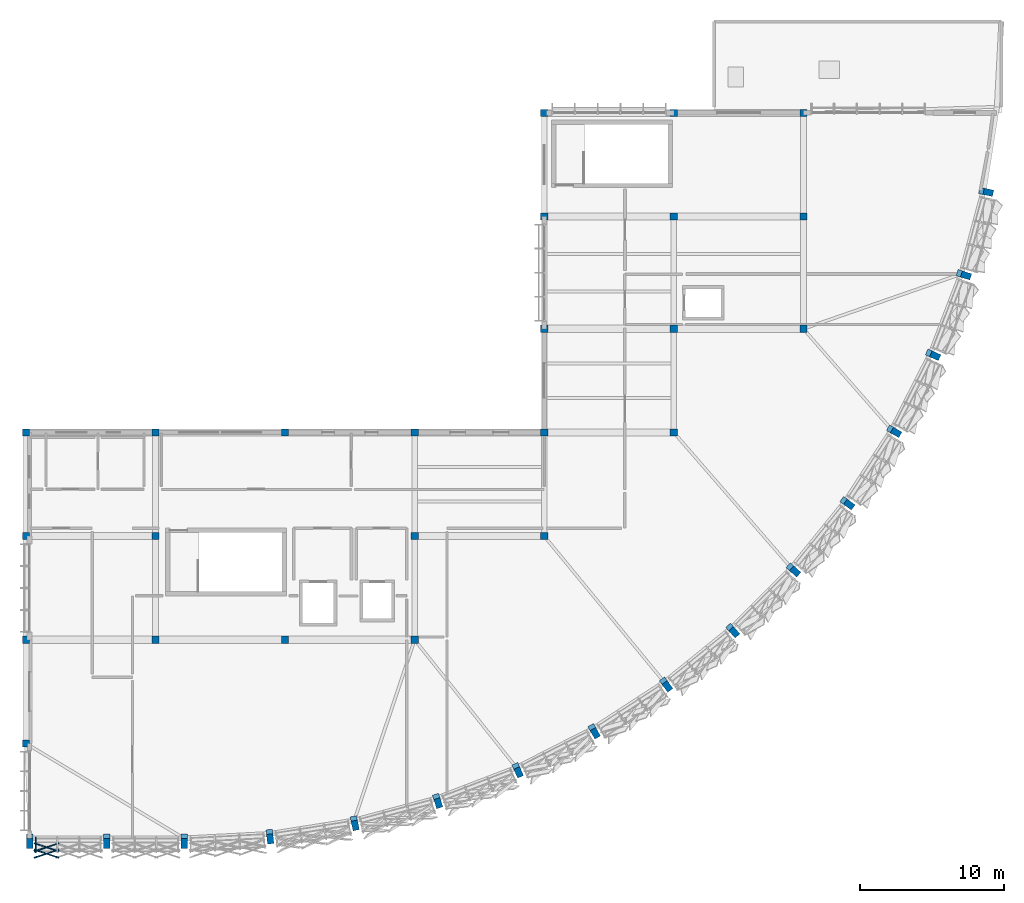
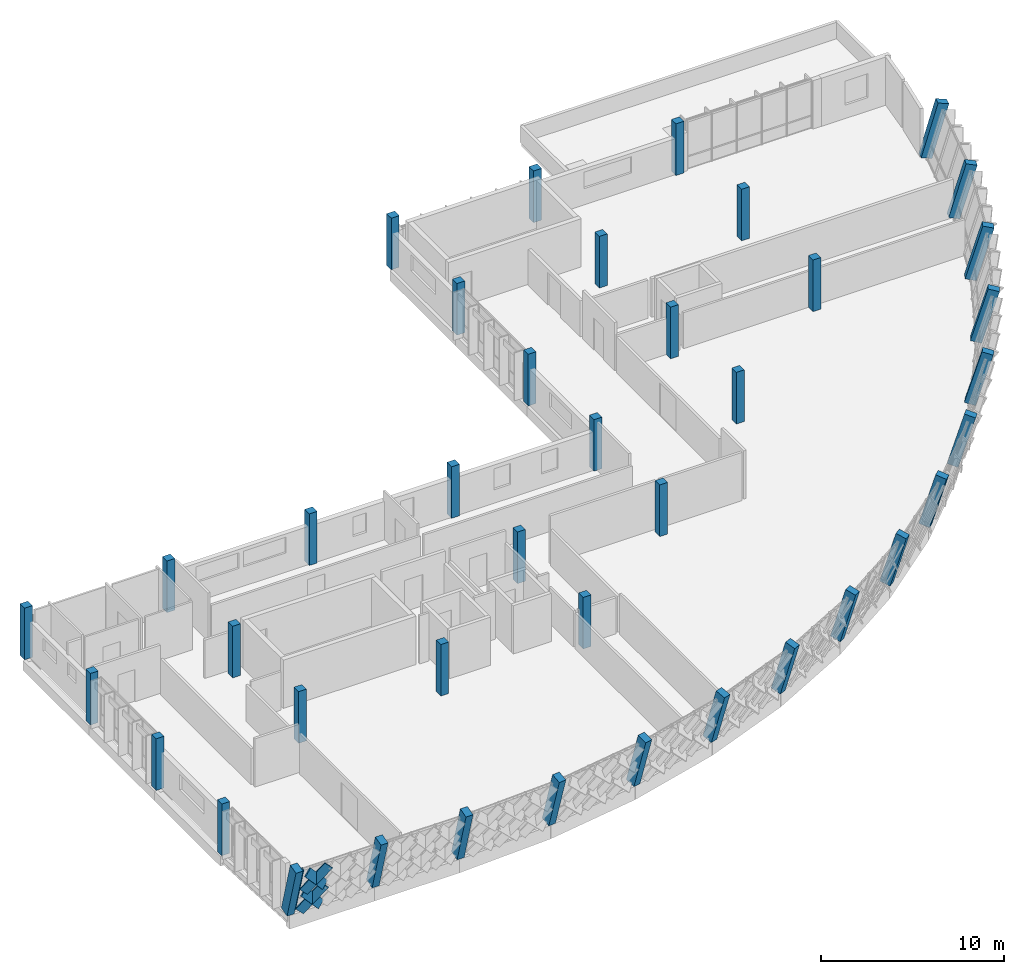
# One storey, part 1 of 24: 40 columns, 5 members, 1 element without a shape of its own.
"""IFC4 building model written with IfcOpenShell, lengths in metres."""

import ifcopenshell
import ifcopenshell.guid

model = None  # the IFC model being written
_history = None  # IfcOwnerHistory: only IFC2X3 demands one
_inside = {}  # id of a spatial element -> (the spatial element, [elements in it])
_under = {}  # id of a project, library or spatial element -> (it, [spatial elements below it])
_declared = {}  # id of a project -> (the project, [libraries it declares])
_typed = {}  # id of a type object -> (the type object, [elements of that type])
_made_of = {}  # id of a material, layer set ... -> (it, [elements and type objects made of it])


def new_model(schema):
    """Start an empty IFC model of exactly this schema.

    Asked for "IFC4X3", IfcOpenShell would pick the latest addendum, in which some entities
    have other attributes; the version numbers below select the first issue.
    IFC2X3 requires an IfcOwnerHistory on every rooted entity: one is made here for all.
    """
    global model, _history
    if schema == "IFC4X3":
        model = ifcopenshell.file(schema_version=(4, 3, 0, 0))
    else:
        model = ifcopenshell.file(schema=schema)
    _inside.clear()
    _under.clear()
    _declared.clear()
    _typed.clear()
    _made_of.clear()
    _history = None
    if model.schema == "IFC2X3":
        org = make("IfcOrganization", Name="unknown")
        user = make(
            "IfcPersonAndOrganization",
            ThePerson=make("IfcPerson", FamilyName="unknown"),
            TheOrganization=org,
        )
        app = make(
            "IfcApplication",
            ApplicationDeveloper=org,
            Version="unknown",
            ApplicationFullName="unknown",
            ApplicationIdentifier="unknown",
        )
        _history = make(
            "IfcOwnerHistory",
            OwningUser=user,
            OwningApplication=app,
            ChangeAction="ADDED",
            CreationDate=0,
        )
    return model


def make(cls, **values):
    """One entity of the class cls with the attributes given. An attribute that is None is left unset."""
    return model.create_entity(
        cls, **{name: value for name, value in values.items() if value is not None}
    )


def rooted(cls, **values):
    """An entity with a GlobalId (a new one), such as an element, a storey or a relation."""
    return make(cls, GlobalId=ifcopenshell.guid.new(), OwnerHistory=_history, **values)


def si_unit(unit_type, name, prefix=None):
    """IfcSIUnit, for example si_unit("LENGTHUNIT", "METRE", prefix="MILLI")."""
    return make("IfcSIUnit", UnitType=unit_type, Prefix=prefix, Name=name)


def assignment(units):
    """IfcUnitAssignment: the units of a project."""
    return None if units is None else make("IfcUnitAssignment", Units=units)


def point(xyz):
    """IfcCartesianPoint."""
    return None if xyz is None else make("IfcCartesianPoint", Coordinates=xyz)


def direction(xyz):
    """IfcDirection."""
    return None if xyz is None else make("IfcDirection", DirectionRatios=xyz)


def frame(location, z_axis=None, x_axis=None):
    """IfcAxis2Placement3D, a coordinate frame: its origin and axes. An axis left out is left unset."""
    return make(
        "IfcAxis2Placement3D",
        Location=point(location),
        Axis=direction(z_axis),
        RefDirection=direction(x_axis),
    )


def frame_2d(location, x_axis=None):
    """IfcAxis2Placement2D, a coordinate frame in the plane: its origin and x axis."""
    return make(
        "IfcAxis2Placement2D", Location=point(location), RefDirection=direction(x_axis)
    )


def origin():
    """The frame at (0, 0, 0) with its axes left unset."""
    return frame((0.0, 0.0, 0.0))


def origin_2d():
    """The frame at (0, 0) in the plane with its x axis left unset."""
    return frame_2d((0.0, 0.0))


def place(relative_to, where):
    """IfcLocalPlacement: puts the frame where relative to a parent placement (None: the world)."""
    return make(
        "IfcLocalPlacement", PlacementRelTo=relative_to, RelativePlacement=where
    )


def context(
    kind, dimensions, precision=None, world=None, true_north=None, identifier=None
):
    """IfcGeometricRepresentationContext, for example the 3D "Model" context."""
    return make(
        "IfcGeometricRepresentationContext",
        ContextIdentifier=identifier,
        ContextType=kind,
        CoordinateSpaceDimension=dimensions,
        Precision=precision,
        WorldCoordinateSystem=world,
        TrueNorth=true_north,
    )


def subcontext(parent, identifier, kind, view, scale=None):
    """IfcGeometricRepresentationSubContext, for example "Body" below "Model"."""
    return make(
        "IfcGeometricRepresentationSubContext",
        ContextIdentifier=identifier,
        ContextType=kind,
        ParentContext=parent,
        TargetScale=scale,
        TargetView=view,
    )


def project(units=None, contexts=None):
    """IfcProject with its units and contexts."""
    return rooted(
        "IfcProject",
        Name="project",
        RepresentationContexts=contexts,
        UnitsInContext=assignment(units),
    )


def spatial(cls, under=None, at=None, **own):
    """A site, building, storey or space (cls), placed at a placement, below another one or the project."""
    s = rooted(cls, ObjectPlacement=at, **own)
    if under is not None:
        _under.setdefault(under.id(), (under, []))[1].append(s)
    return s


def profile(cls, at=None, kind="AREA", **sizes):
    """A parametric profile (cls). Its sizes go by their IFC names, for example OverallWidth=200.0."""
    return make(cls, ProfileType=kind, Position=at, **sizes)


def rectangle(**sizes):
    """IfcRectangleProfileDef."""
    return profile("IfcRectangleProfileDef", **sizes)


def hollow_rectangle(**sizes):
    """IfcRectangleHollowProfileDef."""
    return profile("IfcRectangleHollowProfileDef", **sizes)


def extrude(swept, where, along, depth):
    """IfcExtrudedAreaSolid: the profile swept, set in the frame where, extruded along a direction by depth."""
    return make(
        "IfcExtrudedAreaSolid",
        SweptArea=swept,
        Position=where,
        ExtrudedDirection=direction(along),
        Depth=depth,
    )


def shape(context_of_items, identifier, shape_type, items):
    """IfcShapeRepresentation: the items that make up one representation, for example the "Body"."""
    return make(
        "IfcShapeRepresentation",
        ContextOfItems=context_of_items,
        RepresentationIdentifier=identifier,
        RepresentationType=shape_type,
        Items=items,
    )


def material(Name=None, Category=None):
    """IfcMaterial."""
    return make("IfcMaterial", Name=Name, Category=Category)


def material_profile(
    of_material, cross_section, Name=None, Category=None, Priority=None
):
    """IfcMaterialProfile: a cross section and its material."""
    return make(
        "IfcMaterialProfile",
        Name=Name,
        Material=of_material,
        Profile=cross_section,
        Priority=Priority,
        Category=Category,
    )


def profile_set(profiles, Name=None, composite=None):
    """IfcMaterialProfileSet."""
    return make(
        "IfcMaterialProfileSet",
        Name=Name,
        MaterialProfiles=profiles,
        CompositeProfile=composite,
    )


def made_of(thing, what):
    """Note that an element or type object is made of a material, layer set ...; save() writes the relation."""
    if what is not None:
        _made_of.setdefault(what.id(), (what, []))[1].append(thing)
    return thing


def type_object(cls, material=None, **own):
    """A type object (cls), such as IfcWallType, which elements share."""
    return made_of(rooted(cls, **own), material)


def element(
    cls,
    number,
    at=None,
    inside=None,
    cuts=None,
    type_object=None,
    material=None,
    context=None,
    identifier="Body",
    shape_type=None,
    held_by="IfcProductDefinitionShape",
    body=None,
    shapes=None,
    **own,
):
    """One element of the class cls, such as IfcWall. Its Tag is "e" and its number.

    at: its placement. inside: the storey or other place that contains it. cuts: it is an
    opening in that element (IfcRelVoidsElement). A single representation is given by context,
    identifier, shape_type and body (its items); several are given by shapes. held_by: the class
    of the entity that holds the representations. save() writes the other relations.
    """
    e = rooted(cls, Tag="e%d" % number, ObjectPlacement=at, **own)
    if body is not None:
        shapes = [shape(context, identifier, shape_type, body)]
    if shapes is not None:
        e.Representation = make(held_by, Representations=shapes)
    if inside is not None:
        _inside.setdefault(inside.id(), (inside, []))[1].append(e)
    if cuts is not None:
        rooted(
            "IfcRelVoidsElement", RelatingBuildingElement=cuts, RelatedOpeningElement=e
        )
    if type_object is not None:
        _typed.setdefault(type_object.id(), (type_object, []))[1].append(e)
    return made_of(e, material)


def aggregate(whole, parts):
    """IfcRelAggregates: a whole, such as a stair, and the parts it consists of."""
    return rooted("IfcRelAggregates", RelatingObject=whole, RelatedObjects=parts)


def save(model, path):
    """Write the relations noted so far, then the file.

    IfcRelAggregates (storeys below a building ...), IfcRelContainedInSpatialStructure (elements
    in a storey), IfcRelDefinesByType, IfcRelAssociatesMaterial and IfcRelDeclares: one each for
    every whole, place, type object, material and project.
    """
    for whole, parts in _under.values():
        aggregate(whole, parts)
    for where, things in _inside.values():
        rooted(
            "IfcRelContainedInSpatialStructure",
            RelatedElements=things,
            RelatingStructure=where,
        )
    for kind, things in _typed.values():
        rooted("IfcRelDefinesByType", RelatedObjects=things, RelatingType=kind)
    for what, things in _made_of.values():
        rooted("IfcRelAssociatesMaterial", RelatedObjects=things, RelatingMaterial=what)
    for by, libraries in _declared.values():
        rooted("IfcRelDeclares", RelatingContext=by, RelatedDefinitions=libraries)
    model.write(path)


model = new_model("IFC4")

# Units and contexts
model_context = context("Model", 3, precision=1e-05, world=origin(), true_north=direction((0.0, 1.0)))
body_context = subcontext(model_context, "Body", "Model", "MODEL_VIEW")
ifc_project = project(units=[si_unit("LENGTHUNIT", "METRE"), si_unit("AREAUNIT", "SQUARE_METRE"), si_unit("VOLUMEUNIT", "CUBIC_METRE"), si_unit("PLANEANGLEUNIT", "RADIAN"), si_unit("MASSUNIT", "GRAM", prefix="KILO")], contexts=[model_context])

# Site, building, storey
site_placement = place(None, origin())
site = spatial("IfcSite", under=ifc_project, at=site_placement, CompositionType="ELEMENT")
building_placement = place(site_placement, origin())
building = spatial("IfcBuilding", under=site, at=building_placement, Name="Chiffa Square Polytechnic", CompositionType="ELEMENT")
storey_placement = place(building_placement, frame((0.0, 0.0, 26.39990234375)))
storey = spatial("IfcBuildingStorey", under=building, at=storey_placement, Name="L06", CompositionType="ELEMENT", Elevation=26.39990234375)

# Columns
ifc_material_1 = material(Name="Glulam GL32c", Category="wood")
ifc_material_profile_1 = material_profile(ifc_material_1, rectangle(XDim=0.449951171875, YDim=0.64990234375, at=origin_2d()), Name="GL32c 450x650")
ifc_profile_set_1 = profile_set([ifc_material_profile_1], Name="Glulam GL32c")
column_type_1 = type_object("IfcColumnType", Name="COL-RAKED-GL650", PredefinedType="USERDEFINED", material=ifc_profile_set_1)
for number, where, z_axis, x_axis, name in (
    (1, (112.449951171875, 0.595947265625, 0.0), (0.0, -0.272157128356, 0.962252824098), (1.0, 0.0, 0.0), "Outward-leaning glulam column CRK-V1-L06-01"),
    (2, (117.824951171875, 0.595947265625, 0.0), (0.0, -0.272157128356, 0.962252824098), (1.0, 0.0, 0.0), "Outward-leaning glulam column CRK-V1-L06-02"),
    (3, (123.199951171875, 0.595947265625, 0.0), (0.0, -0.272157128356, 0.962252824098), (1.0, 0.0, 0.0), "Outward-leaning glulam column CRK-V1-L06-03"),
):
    element("IfcColumn", number, at=place(storey_placement, frame(where, z_axis=z_axis, x_axis=x_axis)), inside=storey, type_object=column_type_1, Name=name, ObjectType="RAKED COLUMN", PredefinedType="USERDEFINED", context=body_context, shape_type="SweptSolid", body=[
        extrude(rectangle(XDim=0.449951171875, YDim=0.64990234375, at=origin_2d()), origin(), (0.0, 0.0, 1.0), 3.58544921875),
    ])
column_1_placement = place(storey_placement, frame((129.132080078125, 0.906982421875, 0.0), z_axis=(0.028392727524, -0.270786276654, 0.962220684354), x_axis=(0.994547849522, 0.104281230387, 0.0)))
element("IfcColumn", 4, at=column_1_placement, inside=storey, type_object=column_type_1, Name="Outward-leaning glulam column CRK-V1-L06-04", ObjectType="RAKED COLUMN", PredefinedType="USERDEFINED", context=body_context, shape_type="SweptSolid", body=[
    extrude(rectangle(XDim=0.449951171875, YDim=0.64990234375, at=origin_2d()), origin(), (0.0, 0.0, 1.0), 3.585693359375),
])
column_2_placement = place(storey_placement, frame((135.0, 1.8359375, 0.0), z_axis=(0.056310217943, -0.266298987151, 0.962244256308), x_axis=(0.97836625909, 0.206880310986, 0.0)))
element("IfcColumn", 5, at=column_2_placement, inside=storey, type_object=column_type_1, Name="Outward-leaning glulam column CRK-V1-L06-05", ObjectType="RAKED COLUMN", PredefinedType="USERDEFINED", context=body_context, shape_type="SweptSolid", body=[
    extrude(rectangle(XDim=0.449951171875, YDim=0.64990234375, at=origin_2d()), origin(), (0.0, 0.0, 1.0), 3.58544921875),
])
for number, where, z_axis, x_axis, name in (
    (6, (140.738037109375, 3.3740234375, 0.0), (0.08422147927, -0.259064453213, 0.962181038844), (0.951006514064, 0.309170843074, 0.0), "Outward-leaning glulam column CRK-V1-L06-06"),
    (7, (146.283935546875, 5.5029296875, 0.0), (0.110711758314, -0.248726969939, 0.962225441877), (0.913584518826, 0.406648898881, 0.0), "Outward-leaning glulam column CRK-V1-L06-07"),
):
    element("IfcColumn", number, at=place(storey_placement, frame(where, z_axis=z_axis, x_axis=x_axis)), inside=storey, type_object=column_type_1, Name=name, ObjectType="RAKED COLUMN", PredefinedType="USERDEFINED", context=body_context, shape_type="SweptSolid", body=[
        extrude(rectangle(XDim=0.449951171875, YDim=0.64990234375, at=origin_2d()), origin(), (0.0, 0.0, 1.0), 3.585693359375),
    ])
column_3_placement = place(storey_placement, frame((151.576904296875, 8.199951171875, 0.0), z_axis=(0.136113078547, -0.235661513182, 0.962256141084), x_axis=(0.865939725069, 0.500148370533, 0.0)))
element("IfcColumn", 8, at=column_3_placement, inside=storey, type_object=column_type_1, Name="Outward-leaning glulam column CRK-V1-L06-08", ObjectType="RAKED COLUMN", PredefinedType="USERDEFINED", context=body_context, shape_type="SweptSolid", body=[
    extrude(rectangle(XDim=0.449951171875, YDim=0.64990234375, at=origin_2d()), origin(), (0.0, 0.0, 1.0), 3.58544921875),
])
for number, where, z_axis, x_axis, name in (
    (9, (156.55908203125, 11.43505859375, 0.0), (0.160071919667, -0.220328682281, 0.962201773174), (0.809027886661, 0.587770260055, 0.0), "Outward-leaning glulam column CRK-V1-L06-09"),
    (10, (161.176025390625, 15.174072265625, 0.0), (0.182131429874, -0.202489298111, 0.962198641863), (0.743493006552, 0.668743709659, 0.0), "Outward-leaning glulam column CRK-V1-L06-10"),
    (11, (165.3759765625, 19.3740234375, 0.0), (0.202489298111, -0.182131429874, 0.962198641863), (0.668743709659, 0.743493006552, 0.0), "Outward-leaning glulam column CRK-V1-L06-11"),
    (12, (169.114990234375, 23.990966796875, 0.0), (0.220328682281, -0.160071919667, 0.962201773174), (0.587770260055, 0.809027886661, 0.0), "Outward-leaning glulam column CRK-V1-L06-12"),
):
    element("IfcColumn", number, at=place(storey_placement, frame(where, z_axis=z_axis, x_axis=x_axis)), inside=storey, type_object=column_type_1, Name=name, ObjectType="RAKED COLUMN", PredefinedType="USERDEFINED", context=body_context, shape_type="SweptSolid", body=[
        extrude(rectangle(XDim=0.449951171875, YDim=0.64990234375, at=origin_2d()), origin(), (0.0, 0.0, 1.0), 3.585693359375),
    ])
column_4_placement = place(storey_placement, frame((172.35009765625, 28.972900390625, 0.0), z_axis=(0.235663696782, -0.136046248532, 0.962265057185), x_axis=(0.49996072298, 0.866048079195, 0.0)))
element("IfcColumn", 13, at=column_4_placement, inside=storey, type_object=column_type_1, Name="Outward-leaning glulam column CRK-V1-L06-13", ObjectType="RAKED COLUMN", PredefinedType="USERDEFINED", context=body_context, shape_type="SweptSolid", body=[
    extrude(rectangle(XDim=0.449951171875, YDim=0.64990234375, at=origin_2d()), origin(), (0.0, 0.0, 1.0), 3.58544921875),
])
for number, where, z_axis, x_axis, name in (
    (14, (175.047119140625, 34.26611328125, 0.0), (0.248725094433, -0.1107790114, 0.962218186293), (0.406857602636, 0.913491593381, 0.0), "Outward-leaning glulam column CRK-V1-L06-14"),
    (15, (177.176025390625, 39.81201171875, 0.0), (0.259064453213, -0.08422147927, 0.962181038844), (0.309170843074, 0.951006514064, 0.0), "Outward-leaning glulam column CRK-V1-L06-15"),
    (16, (178.714111328125, 45.550048828125, 0.0), (0.26629796551, -0.056378091394, 0.962240564711), (0.207119743353, 0.978315599341, 0.0), "Outward-leaning glulam column CRK-V1-L06-16"),
):
    element("IfcColumn", number, at=place(storey_placement, frame(where, z_axis=z_axis, x_axis=x_axis)), inside=storey, type_object=column_type_1, Name=name, ObjectType="RAKED COLUMN", PredefinedType="USERDEFINED", context=body_context, shape_type="SweptSolid", body=[
        extrude(rectangle(XDim=0.449951171875, YDim=0.64990234375, at=origin_2d()), origin(), (0.0, 0.0, 1.0), 3.585693359375),
    ])
ifc_material_2 = material(Name="Concrete C35/45", Category="concrete")
ifc_material_profile_2 = material_profile(ifc_material_2, rectangle(XDim=0.5, YDim=0.5, at=origin_2d()), Name="RC 500x500")
ifc_profile_set_2 = profile_set([ifc_material_profile_2], Name="Concrete C35/45")
column_type_2 = type_object("IfcColumnType", Name="COL-RC-500", PredefinedType="COLUMN", material=ifc_profile_set_2)
for number, where, z_axis, x_axis, name in (
    (17, (112.199951171875, 7.199951171875, 0.0), (0.0, 0.0, 1.0), (1.0, 0.0, 0.0), "Column C-V1-L06-1122-0072"),
    (18, (112.199951171875, 14.39990234375, 0.0), (0.0, 0.0, 1.0), (1.0, 0.0, 0.0), "Column C-V1-L06-1122-0144"),
    (19, (112.199951171875, 21.60009765625, 0.0), (0.0, 0.0, 1.0), (1.0, 0.0, 0.0), "Column C-V1-L06-1122-0216"),
    (20, (112.199951171875, 28.800048828125, 0.0), (0.0, 0.0, 1.0), (1.0, 0.0, 0.0), "Column C-V1-L06-1122-0288"),
    (21, (121.199951171875, 14.39990234375, 0.0), (0.0, 0.0, 1.0), (1.0, 0.0, 0.0), "Column C-V1-L06-1212-0144"),
    (22, (121.199951171875, 21.60009765625, 0.0), (0.0, 0.0, 1.0), (1.0, 0.0, 0.0), "Column C-V1-L06-1212-0216"),
    (23, (121.199951171875, 28.800048828125, 0.0), (0.0, 0.0, 1.0), (1.0, 0.0, 0.0), "Column C-V1-L06-1212-0288"),
    (24, (130.199951171875, 14.39990234375, 0.0), (0.0, 0.0, 1.0), (1.0, 0.0, 0.0), "Column C-V1-L06-1302-0144"),
    (25, (130.199951171875, 28.800048828125, 0.0), (0.0, 0.0, 1.0), (1.0, 0.0, 0.0), "Column C-V1-L06-1302-0288"),
    (26, (139.199951171875, 14.39990234375, 0.0), (0.0, 0.0, 1.0), (1.0, 0.0, 0.0), "Column C-V1-L06-1392-0144"),
    (27, (139.199951171875, 21.60009765625, 0.0), (0.0, 0.0, 1.0), (1.0, 0.0, 0.0), "Column C-V1-L06-1392-0216"),
    (28, (139.199951171875, 28.800048828125, 0.0), (0.0, 0.0, 1.0), (1.0, 0.0, 0.0), "Column C-V1-L06-1392-0288"),
    (29, (148.199951171875, 21.60009765625, 0.0), (0.0, 0.0, 1.0), (1.0, 0.0, 0.0), "Column C-V1-L06-1482-0216"),
    (30, (148.199951171875, 28.800048828125, 0.0), (0.0, 0.0, 1.0), (1.0, 0.0, 0.0), "Column C-V1-L06-1482-0288"),
    (31, (148.199951171875, 36.0, 0.0), (0.0, 0.0, 1.0), (1.0, 0.0, 0.0), "Column C-V1-L06-1482-0360"),
    (32, (148.199951171875, 43.800048828125, 0.0), (0.0, 0.0, 1.0), (1.0, 0.0, 0.0), "Column C-V1-L06-1482-0438"),
    (33, (148.199951171875, 51.0, 0.0), (0.0, 0.0, 1.0), (1.0, 0.0, 0.0), "Column C-V1-L06-1482-0510"),
    (34, (157.199951171875, 28.800048828125, 0.0), (0.0, 0.0, 1.0), (1.0, 0.0, 0.0), "Column C-V1-L06-1572-0288"),
    (35, (157.199951171875, 36.0, 0.0), (0.0, 0.0, 1.0), (1.0, 0.0, 0.0), "Column C-V1-L06-1572-0360"),
    (36, (157.199951171875, 43.800048828125, 0.0), (0.0, 0.0, 1.0), (1.0, 0.0, 0.0), "Column C-V1-L06-1572-0438"),
    (37, (157.199951171875, 51.0, 0.0), (0.0, 0.0, 1.0), (1.0, 0.0, 0.0), "Column C-V1-L06-1572-0510"),
    (38, (166.199951171875, 36.0, 0.0), (0.0, 0.0, 1.0), (1.0, 0.0, 0.0), "Column C-V1-L06-1662-0360"),
    (39, (166.199951171875, 43.800048828125, 0.0), (0.0, 0.0, 1.0), (1.0, 0.0, 0.0), "Column C-V1-L06-1662-0438"),
    (40, (166.199951171875, 51.0, 0.0), (0.0, 0.0, 1.0), (1.0, 0.0, 0.0), "Column C-V1-L06-1662-0510"),
):
    element("IfcColumn", number, at=place(storey_placement, frame(where, z_axis=z_axis, x_axis=x_axis)), inside=storey, type_object=column_type_2, Name=name, PredefinedType="COLUMN", context=body_context, shape_type="SweptSolid", body=[
        extrude(rectangle(XDim=0.5, YDim=0.5, at=origin_2d()), origin(), (0.0, 0.0, 1.0), 3.4501953125),
    ])

# Curtain wall, members
ifc_material_3 = material(Name="Aluminium EN AW-6060 T66 and glulam shading", Category="wood")
curtain_wall_type = type_object("IfcCurtainWallType", Name="CW-PROW-LEAN-150", PredefinedType="USERDEFINED", material=ifc_material_3)
curtain_wall_placement = place(storey_placement, origin())
curtain_wall = element("IfcCurtainWall", 41, at=curtain_wall_placement, inside=storey, type_object=curtain_wall_type, Name="Outward-leaning diamond-fin prow curtain wall CW-V1-L06-095", ObjectType="CURTAIN WALL", PredefinedType="USERDEFINED")
ifc_material_4 = material(Name="Aluminium EN AW-6060 T66", Category="aluminium")
ifc_material_profile_3 = material_profile(ifc_material_4, hollow_rectangle(XDim=0.06494140625, YDim=0.179931640625, WallThickness=0.00390625, at=origin_2d()), Name="ALU 65x180x4")
ifc_profile_set_3 = profile_set([ifc_material_profile_3], Name="Aluminium EN AW-6060 T66")
member_type_1 = type_object("IfcMemberType", Name="CWM-ALU-75X180", PredefinedType="MULLION", material=ifc_profile_set_3)
member_1_placement = place(storey_placement, frame((112.8798828125, 0.595947265625, 0.0), z_axis=(0.0, -0.27231736032, 0.962207490757), x_axis=(1.0, 0.0, 0.0)))
member_1 = element("IfcMember", 42, at=member_1_placement, type_object=member_type_1, Name="Leaning prow mullion CW-V1-L06-095-M00", PredefinedType="MULLION", context=body_context, shape_type="SweptSolid", body=[
    extrude(hollow_rectangle(XDim=0.06494140625, YDim=0.179931640625, WallThickness=0.00390625, at=origin_2d()), origin(), (0.0, 0.0, 1.0), 3.34130859375),
])
ifc_material_5 = material(Name="Glulam GL28h", Category="wood")
ifc_material_profile_4 = material_profile(ifc_material_5, rectangle(XDim=0.080078125, YDim=0.580078125, at=origin_2d()), Name="GL28h 80x580")
ifc_profile_set_4 = profile_set([ifc_material_profile_4], Name="Glulam GL28h")
member_type_2 = type_object("IfcMemberType", Name="CWM-GL-80X580", PredefinedType="MULLION", material=ifc_profile_set_4)
member_2_placement = place(storey_placement, frame((112.962890625, 0.2099609375, 0.0400390625), z_axis=(0.634856341419, -0.210422758195, 0.743424299168), x_axis=(0.314617879555, 0.94921840999, 0.0)))
member_2 = element("IfcMember", 43, at=member_2_placement, type_object=member_type_2, Name="Diamond glulam fin CW-V1-L06-095-DF01A", PredefinedType="MULLION", context=body_context, shape_type="SweptSolid", body=[
    extrude(rectangle(XDim=0.080078125, YDim=0.580078125, at=origin_2d()), origin(), (0.0, 0.0, 1.0), 2.109375),
])
member_3_placement = place(storey_placement, frame((114.302001953125, 0.2099609375, 0.0400390625), z_axis=(-0.634856341419, -0.210422758195, 0.743424299168), x_axis=(0.314617879555, -0.94921840999, 0.0)))
member_3 = element("IfcMember", 44, at=member_3_placement, type_object=member_type_2, Name="Diamond glulam fin CW-V1-L06-095-DF01B", PredefinedType="MULLION", context=body_context, shape_type="SweptSolid", body=[
    extrude(rectangle(XDim=0.080078125, YDim=0.580078125, at=origin_2d()), origin(), (0.0, 0.0, 1.0), 2.109375),
])
member_4_placement = place(storey_placement, frame((112.962890625, -0.23388671875, 1.608154296875), z_axis=(0.635114062979, -0.210623970932, 0.743147138779), x_axis=(0.314773794, 0.949166718027, 0.0)))
member_4 = element("IfcMember", 45, at=member_4_placement, type_object=member_type_2, Name="Diamond glulam fin CW-V1-L06-095-DF02A", PredefinedType="MULLION", context=body_context, shape_type="SweptSolid", body=[
    extrude(rectangle(XDim=0.080078125, YDim=0.580078125, at=origin_2d()), origin(), (0.0, 0.0, 1.0), 2.1083984375),
])
member_5_placement = place(storey_placement, frame((114.302001953125, -0.23388671875, 1.608154296875), z_axis=(-0.635114062979, -0.210623970932, 0.743147138779), x_axis=(0.314773794, -0.949166718027, 0.0)))
member_5 = element("IfcMember", 46, at=member_5_placement, type_object=member_type_2, Name="Diamond glulam fin CW-V1-L06-095-DF02B", PredefinedType="MULLION", context=body_context, shape_type="SweptSolid", body=[
    extrude(rectangle(XDim=0.080078125, YDim=0.580078125, at=origin_2d()), origin(), (0.0, 0.0, 1.0), 2.1083984375),
])
aggregate(curtain_wall, [member_1, member_2, member_3, member_4, member_5])

save(model, "model.ifc")
